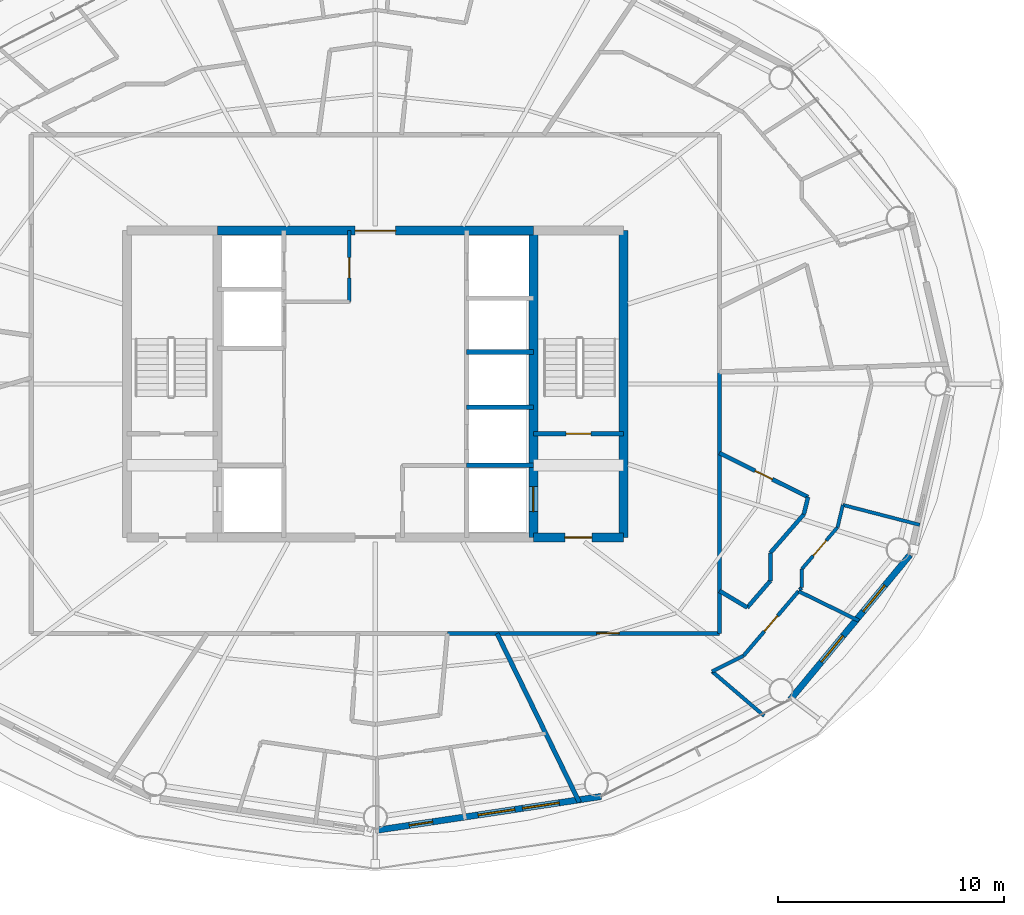
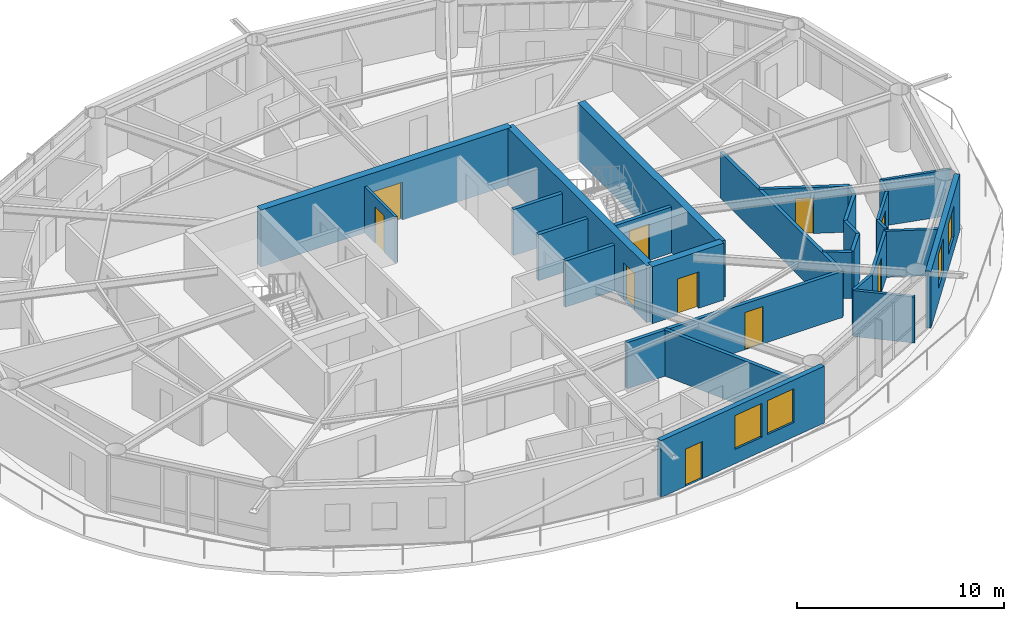
# One storey, part 17 of 23: 29 walls, 10 doors, 4 windows, 14 openings.
"""IFC4 building model written with IfcOpenShell, lengths in metres."""

from ifc_helpers import new_model, si_unit, direction, frame, frame_2d, origin, place, context, subcontext, project, spatial, rectangle, extrude, material, layer, layer_set, type_object, element, fill, save


model = new_model("IFC4")

# Units and contexts
model_context = context("Model", 3, precision=1e-05, world=origin(), true_north=direction((0.0, 1.0)))
body_context = subcontext(model_context, "Body", "Model", "MODEL_VIEW")
ifc_project = project(units=[si_unit("LENGTHUNIT", "METRE"), si_unit("AREAUNIT", "SQUARE_METRE"), si_unit("VOLUMEUNIT", "CUBIC_METRE"), si_unit("PLANEANGLEUNIT", "RADIAN"), si_unit("MASSUNIT", "GRAM", prefix="KILO")], contexts=[model_context])

# Site, building, storey
site_placement = place(None, origin())
site = spatial("IfcSite", under=ifc_project, at=site_placement, CompositionType="ELEMENT")
building_placement = place(site_placement, origin())
building = spatial("IfcBuilding", under=site, at=building_placement, Name="Sarneth Arch Tower", CompositionType="ELEMENT")
storey_placement = place(building_placement, frame((0.0, 0.0, 235.199951171875)))
storey = spatial("IfcBuildingStorey", under=building, at=storey_placement, Name="L60", CompositionType="ELEMENT", Elevation=235.199951171875)

# Wall, opening, door
ifc_material_1 = material(Name="Concrete C50/60", Category="concrete")
ifc_layer_1 = layer(ifc_material_1, 0.39990234375)
ifc_layer_set_1 = layer_set([ifc_layer_1], Name="Concrete C50/60")
wall_type_1 = type_object("IfcWallType", Name="WALL-CORE-400", PredefinedType="SHEAR", material=ifc_layer_set_1)
wall_1_placement = place(storey_placement, frame((55.0, 35.199951171875, 0.0), z_axis=(0.0, 0.0, 1.0), x_axis=(1.0, 0.0, 0.0)))
wall_1 = element("IfcWall", 1, at=wall_1_placement, inside=storey, type_object=wall_type_1, Name="L60 Core shear wall S-E", PredefinedType="SHEAR", context=body_context, shape_type="SweptSolid", body=[
    extrude(rectangle(XDim=4.0, YDim=0.39990234375, at=frame_2d((2.0, 0.0))), origin(), (0.0, 0.0, 1.0), 3.360107421875),
])
opening_1_placement = place(wall_1_placement, frame((1.39990234375, 0.0, 0.0)))
opening_1 = element("IfcOpeningElement", 2, at=opening_1_placement, cuts=wall_1, Name="Opening FD-02", PredefinedType="OPENING", context=body_context, shape_type="SweptSolid", body=[
    extrude(rectangle(XDim=1.199951171875, YDim=2.14990234375, at=frame_2d((0.60009765625, 1.074951171875))), frame((0.0, 0.2099609375, 0.0), z_axis=(0.0, -1.0, 0.0), x_axis=(1.0, 0.0, 0.0)), (0.0, 0.0, 1.0), 0.419921875),
])
ifc_material_2 = material(Name="Galvanised Steel S275 fire door set", Category="steel")
door_type_1 = type_object("IfcDoorType", Name="DR-FD90-1200", OperationType="SINGLE_SWING_LEFT", PredefinedType="DOOR", material=ifc_material_2)
door_1_placement = place(opening_1_placement, origin())
door_1 = element("IfcDoor", 3, at=door_1_placement, inside=storey, type_object=door_type_1, Name="L60 Firefighting lobby 2 exit door", OperationType="SINGLE_SWING_RIGHT", OverallHeight=2.14990234375, OverallWidth=1.199951171875, PredefinedType="DOOR", context=body_context, shape_type="SweptSolid", body=[
    extrude(rectangle(XDim=1.199951171875, YDim=2.14990234375, at=frame_2d((0.60009765625, 1.074951171875))), frame((0.0, 0.02490234375, 0.0), z_axis=(0.0, -1.0, 0.0), x_axis=(1.0, 0.0, 0.0)), (0.0, 0.0, 1.0), 0.050048828125),
])
fill(opening_1, door_1)

wall_2_placement = place(storey_placement, frame((41.0, 48.800048828125, 0.0), z_axis=(0.0, 0.0, 1.0), x_axis=(1.0, 0.0, 0.0)))
wall_2 = element("IfcWall", 4, at=wall_2_placement, inside=storey, type_object=wall_type_1, Name="L60 Core shear wall N-M", PredefinedType="SHEAR", context=body_context, shape_type="SweptSolid", body=[
    extrude(rectangle(XDim=14.0, YDim=0.39990234375, at=frame_2d((7.0, 0.0))), origin(), (0.0, 0.0, 1.0), 3.360107421875),
])
opening_2_placement = place(wall_2_placement, frame((6.10009765625, 0.0, 0.0)))
opening_2 = element("IfcOpeningElement", 5, at=opening_2_placement, cuts=wall_2, Name="Opening FD-01", PredefinedType="OPENING", context=body_context, shape_type="SweptSolid", body=[
    extrude(rectangle(XDim=1.800048828125, YDim=2.25, at=frame_2d((0.89990234375, 1.125))), frame((0.0, 0.2099609375, 0.0), z_axis=(0.0, -1.0, 0.0), x_axis=(1.0, 0.0, 0.0)), (0.0, 0.0, 1.0), 0.419921875),
])
ifc_material_3 = material(Name="Galvanised Steel S275 fire door set", Category="steel")
door_type_2 = type_object("IfcDoorType", Name="DR-FD90-1800", OperationType="DOUBLE_DOOR_SINGLE_SWING", PredefinedType="DOOR", material=ifc_material_3)
door_2_placement = place(opening_2_placement, origin())
door_2 = element("IfcDoor", 6, at=door_2_placement, inside=storey, type_object=door_type_2, Name="L60 Central lift lobby north door", OperationType="DOUBLE_DOOR_SINGLE_SWING", OverallHeight=2.25, OverallWidth=1.800048828125, PredefinedType="DOOR", context=body_context, shape_type="SweptSolid", body=[
    extrude(rectangle(XDim=1.800048828125, YDim=2.25, at=frame_2d((0.89990234375, 1.125))), frame((0.0, 0.02490234375, 0.0), z_axis=(0.0, -1.0, 0.0), x_axis=(1.0, 0.0, 0.0)), (0.0, 0.0, 1.0), 0.050048828125),
])
fill(opening_2, door_2)

# Wall
wall_3_placement = place(storey_placement, frame((59.0, 35.199951171875, 0.0), z_axis=(0.0, 0.0, 1.0), x_axis=(0.0, 1.0, 0.0)))
element("IfcWall", 7, at=wall_3_placement, inside=storey, type_object=wall_type_1, Name="L60 Core shear wall E", PredefinedType="SHEAR", context=body_context, shape_type="SweptSolid", body=[
    extrude(rectangle(XDim=13.60009765625, YDim=0.39990234375, at=frame_2d((6.800048828125, 0.0))), origin(), (0.0, 0.0, 1.0), 3.360107421875),
])

# Wall, opening, door
wall_4_placement = place(storey_placement, frame((55.0, 35.199951171875, 0.0), z_axis=(0.0, 0.0, 1.0), x_axis=(0.0, 1.0, 0.0)))
wall_4 = element("IfcWall", 8, at=wall_4_placement, inside=storey, type_object=wall_type_1, Name="L60 Core shear wall WEB-E", PredefinedType="SHEAR", context=body_context, shape_type="SweptSolid", body=[
    extrude(rectangle(XDim=13.60009765625, YDim=0.39990234375, at=frame_2d((6.800048828125, 0.0))), origin(), (0.0, 0.0, 1.0), 3.360107421875),
])
opening_3_placement = place(wall_4_placement, frame((1.14990234375, 0.0, 0.0)))
opening_3 = element("IfcOpeningElement", 9, at=opening_3_placement, cuts=wall_4, Name="Opening LD-1", PredefinedType="OPENING", context=body_context, shape_type="SweptSolid", body=[
    extrude(rectangle(XDim=1.10009765625, YDim=2.199951171875, at=frame_2d((0.550048828125, 1.10009765625))), frame((0.0, 0.2099609375, 0.0), z_axis=(0.0, -1.0, 0.0), x_axis=(1.0, 0.0, 0.0)), (0.0, 0.0, 1.0), 0.419921875),
])
ifc_material_4 = material(Name="Brushed Stainless Steel 304 lift landing door", Category="steel")
door_type_3 = type_object("IfcDoorType", Name="DR-LIFT-SLIDE-1100", OperationType="SLIDING_TO_LEFT", PredefinedType="DOOR", material=ifc_material_4)
door_3_placement = place(opening_3_placement, origin())
door_3 = element("IfcDoor", 10, at=door_3_placement, inside=storey, type_object=door_type_3, Name="L60 Firefighting lift landing door FL-2", OperationType="SLIDING_TO_RIGHT", OverallHeight=2.199951171875, OverallWidth=1.10009765625, PredefinedType="DOOR", context=body_context, shape_type="SweptSolid", body=[
    extrude(rectangle(XDim=1.10009765625, YDim=2.199951171875, at=frame_2d((0.550048828125, 1.10009765625))), frame((0.0, 0.02490234375, 0.0), z_axis=(0.0, -1.0, 0.0), x_axis=(1.0, 0.0, 0.0)), (0.0, 0.0, 1.0), 0.050048828125),
])
fill(opening_3, door_3)

ifc_material_5 = material(Name="Double steel-stud corridor fire wall", Category="steel")
ifc_layer_2 = layer(ifc_material_5, 0.18994140625)
ifc_layer_set_2 = layer_set([ifc_layer_2], Name="Double steel-stud corridor fire wall")
wall_type_2 = type_object("IfcWallType", Name="WALL-CORR-190", PredefinedType="PARTITIONING", material=ifc_layer_set_2)
wall_5_placement = place(storey_placement, frame((63.25, 30.949951171875, 0.0), z_axis=(0.0, 0.0, 1.0), x_axis=(-1.0, 0.0, 0.0)))
wall_5 = element("IfcWall", 11, at=wall_5_placement, inside=storey, type_object=wall_type_2, Name="L60 Interior partition W-L60-TP-018", PredefinedType="PARTITIONING", context=body_context, shape_type="SweptSolid", body=[
    extrude(rectangle(XDim=12.056396484375, YDim=0.18994140625, at=frame_2d((6.0283203125, 0.0))), origin(), (0.0, 0.0, 1.0), 2.719970703125),
])
opening_4_placement = place(wall_5_placement, frame((4.447998046875, 0.0, 0.0)))
opening_4 = element("IfcOpeningElement", 12, at=opening_4_placement, cuts=wall_5, Name="Opening FD-08", PredefinedType="OPENING", context=body_context, shape_type="SweptSolid", body=[
    extrude(rectangle(XDim=1.0, YDim=2.199951171875, at=frame_2d((0.5, 1.10009765625))), frame((0.0, 0.10498046875, 0.0), z_axis=(0.0, -1.0, 0.0), x_axis=(1.0, 0.0, 0.0)), (0.0, 0.0, 1.0), 0.2099609375),
])
ifc_material_6 = material(Name="Hardwood timber acoustic fire door", Category="wood")
door_type_4 = type_object("IfcDoorType", Name="DR-FD60-1000", OperationType="SINGLE_SWING_LEFT", PredefinedType="DOOR", material=ifc_material_6)
door_4_placement = place(opening_4_placement, origin())
door_4 = element("IfcDoor", 13, at=door_4_placement, inside=storey, type_object=door_type_4, Name="L60 Interior door DR-L60-U6-ENT", OperationType="SINGLE_SWING_LEFT", OverallHeight=2.199951171875, OverallWidth=1.0, PredefinedType="DOOR", context=body_context, shape_type="SweptSolid", body=[
    extrude(rectangle(XDim=1.0, YDim=2.199951171875, at=frame_2d((0.5, 1.10009765625))), frame((0.0, 0.02490234375, 0.0), z_axis=(0.0, -1.0, 0.0), x_axis=(1.0, 0.0, 0.0)), (0.0, 0.0, 1.0), 0.050048828125),
])
fill(opening_4, door_4)

# Wall
wall_6_placement = place(storey_placement, frame((63.25, 42.564453125, 0.0), z_axis=(0.0, 0.0, 1.0), x_axis=(0.0, -1.0, 0.0)))
element("IfcWall", 14, at=wall_6_placement, inside=storey, type_object=wall_type_2, Name="L60 Interior partition W-L60-TP-020", PredefinedType="PARTITIONING", context=body_context, shape_type="SweptSolid", body=[
    extrude(rectangle(XDim=11.614501953125, YDim=0.18994140625, at=frame_2d((5.80712890625, 0.0))), origin(), (0.0, 0.0, 1.0), 2.719970703125),
])

# Wall, openings, door, windows
ifc_material_7 = material(Name="Extruded terracotta rainscreen on Concrete C40/50 backing", Category="masonry")
ifc_layer_3 = layer(ifc_material_7, 0.280029296875)
ifc_layer_set_3 = layer_set([ifc_layer_3], Name="Extruded terracotta rainscreen on Concrete C40/50 backing")
wall_type_3 = type_object("IfcWallType", Name="WALL-EXT-TERRA-280", PredefinedType="SOLIDWALL", material=ifc_layer_set_3)
wall_7_placement = place(storey_placement, frame((48.0, 22.219970703125, 0.0), z_axis=(0.0, 0.0, 1.0), x_axis=(0.988882522213, 0.148698881169, 0.0)))
wall_7 = element("IfcWall", 15, at=wall_7_placement, inside=storey, type_object=wall_type_3, Name="L60 Terracotta perimeter wall 13", PredefinedType="SOLIDWALL", context=body_context, shape_type="SweptSolid", body=[
    extrude(rectangle(XDim=10.125244140625, YDim=0.280029296875, at=frame_2d((5.0625, 0.0))), origin(), (0.0, 0.0, 1.0), 3.360107421875),
])
opening_5_placement = place(wall_7_placement, frame((1.51611328125, 0.0, 0.0)))
opening_5 = element("IfcOpeningElement", 16, at=opening_5_placement, cuts=wall_7, Name="Opening BD-4", PredefinedType="OPENING", context=body_context, shape_type="SweptSolid", body=[
    extrude(rectangle(XDim=1.050048828125, YDim=2.199951171875, at=frame_2d((0.52490234375, 1.10009765625))), frame((0.0, 0.14990234375, 0.0), z_axis=(0.0, -1.0, 0.0), x_axis=(1.0, 0.0, 0.0)), (0.0, 0.0, 1.0), 0.300048828125),
])
opening_6_placement = place(wall_7_placement, frame((4.603759765625, 0.0, 0.85009765625)))
opening_6 = element("IfcOpeningElement", 17, at=opening_6_placement, cuts=wall_7, Name="Opening W-05", PredefinedType="OPENING", context=body_context, shape_type="SweptSolid", body=[
    extrude(rectangle(XDim=1.64990234375, YDim=2.0, at=frame_2d((0.824951171875, 1.0))), frame((0.0, 0.14990234375, 0.0), z_axis=(0.0, -1.0, 0.0), x_axis=(1.0, 0.0, 0.0)), (0.0, 0.0, 1.0), 0.300048828125),
])
opening_7_placement = place(wall_7_placement, frame((6.594482421875, 0.0, 0.85009765625)))
opening_7 = element("IfcOpeningElement", 18, at=opening_7_placement, cuts=wall_7, Name="Opening W-05", PredefinedType="OPENING", context=body_context, shape_type="SweptSolid", body=[
    extrude(rectangle(XDim=1.64990234375, YDim=2.0, at=frame_2d((0.824951171875, 1.0))), frame((0.0, 0.14990234375, 0.0), z_axis=(0.0, -1.0, 0.0), x_axis=(1.0, 0.0, 0.0)), (0.0, 0.0, 1.0), 0.300048828125),
])
ifc_material_8 = material(Name="Thermally broken Aluminium 6063-T6 and laminated safety glass", Category="aluminium")
door_type_5 = type_object("IfcDoorType", Name="DR-BALC-GLZ-1050", OperationType="SINGLE_SWING_RIGHT", PredefinedType="DOOR", material=ifc_material_8)
door_5_placement = place(opening_5_placement, origin())
door_5 = element("IfcDoor", 19, at=door_5_placement, inside=storey, type_object=door_type_5, Name="L60 Balcony glazed door 13", OperationType="SINGLE_SWING_RIGHT", OverallHeight=2.199951171875, OverallWidth=1.050048828125, PredefinedType="DOOR", context=body_context, shape_type="SweptSolid", body=[
    extrude(rectangle(XDim=1.050048828125, YDim=2.199951171875, at=frame_2d((0.52490234375, 1.10009765625))), frame((0.0, 0.02490234375, 0.0), z_axis=(0.0, -1.0, 0.0), x_axis=(1.0, 0.0, 0.0)), (0.0, 0.0, 1.0), 0.050048828125),
])
fill(opening_5, door_5)
ifc_material_9 = material(Name="Thermally broken Aluminium 6063-T6 and low-e laminated IGU", Category="aluminium")
window_type_1 = type_object("IfcWindowType", Name="WIN-TWR-1650x2000", PartitioningType="DOUBLE_PANEL_VERTICAL", PredefinedType="WINDOW", material=ifc_material_9)
window_1_placement = place(opening_6_placement, origin())
window_1 = element("IfcWindow", 20, at=window_1_placement, inside=storey, type_object=window_type_1, Name="L60 Exterior window 13A", OverallHeight=2.0, OverallWidth=1.64990234375, PartitioningType="SINGLE_PANEL", PredefinedType="WINDOW", context=body_context, shape_type="SweptSolid", body=[
    extrude(rectangle(XDim=1.64990234375, YDim=2.0, at=frame_2d((0.824951171875, 1.0))), frame((0.0, 0.030029296875, 0.0), z_axis=(0.0, -1.0, 0.0), x_axis=(1.0, 0.0, 0.0)), (0.0, 0.0, 1.0), 0.06005859375),
])
fill(opening_6, window_1)
window_2_placement = place(opening_7_placement, origin())
window_2 = element("IfcWindow", 21, at=window_2_placement, inside=storey, type_object=window_type_1, Name="L60 Exterior window 13B", OverallHeight=2.0, OverallWidth=1.64990234375, PartitioningType="SINGLE_PANEL", PredefinedType="WINDOW", context=body_context, shape_type="SweptSolid", body=[
    extrude(rectangle(XDim=1.64990234375, YDim=2.0, at=frame_2d((0.824951171875, 1.0))), frame((0.0, 0.030029296875, 0.0), z_axis=(0.0, -1.0, 0.0), x_axis=(1.0, 0.0, 0.0)), (0.0, 0.0, 1.0), 0.06005859375),
])
fill(opening_7, window_2)

# Wall, openings, windows
wall_8_placement = place(storey_placement, frame((66.382568359375, 28.013427734375, 0.0), z_axis=(0.0, 0.0, 1.0), x_axis=(0.63761509934, 0.770355103243, 0.0)))
wall_8 = element("IfcWall", 22, at=wall_8_placement, inside=storey, type_object=wall_type_3, Name="L60 Terracotta perimeter wall 15", PredefinedType="SOLIDWALL", context=body_context, shape_type="SweptSolid", body=[
    extrude(rectangle(XDim=8.329833984375, YDim=0.280029296875, at=frame_2d((4.1650390625, 0.0))), origin(), (0.0, 0.0, 1.0), 3.360107421875),
])
opening_8_placement = place(wall_8_placement, frame((2.170654296875, 0.0, 0.85009765625)))
opening_8 = element("IfcOpeningElement", 23, at=opening_8_placement, cuts=wall_8, Name="Opening W-06", PredefinedType="OPENING", context=body_context, shape_type="SweptSolid", body=[
    extrude(rectangle(XDim=1.5, YDim=2.0, at=frame_2d((0.75, 1.0))), frame((0.0, 0.14990234375, 0.0), z_axis=(0.0, -1.0, 0.0), x_axis=(1.0, 0.0, 0.0)), (0.0, 0.0, 1.0), 0.300048828125),
])
opening_9_placement = place(wall_8_placement, frame((5.07568359375, 0.0, 0.85009765625)))
opening_9 = element("IfcOpeningElement", 24, at=opening_9_placement, cuts=wall_8, Name="Opening W-07", PredefinedType="OPENING", context=body_context, shape_type="SweptSolid", body=[
    extrude(rectangle(XDim=1.5, YDim=1.800048828125, at=frame_2d((0.75, 0.89990234375))), frame((0.0, 0.14990234375, 0.0), z_axis=(0.0, -1.0, 0.0), x_axis=(1.0, 0.0, 0.0)), (0.0, 0.0, 1.0), 0.300048828125),
])
ifc_material_10 = material(Name="Thermally broken Aluminium 6063-T6 and low-e laminated IGU", Category="aluminium")
window_type_2 = type_object("IfcWindowType", Name="WIN-TWR-1500x1800", PartitioningType="SINGLE_PANEL", PredefinedType="WINDOW", material=ifc_material_10)
window_3_placement = place(opening_9_placement, origin())
window_3 = element("IfcWindow", 25, at=window_3_placement, inside=storey, type_object=window_type_2, Name="L60 Exterior window 15B", OverallHeight=1.800048828125, OverallWidth=1.5, PartitioningType="SINGLE_PANEL", PredefinedType="WINDOW", context=body_context, shape_type="SweptSolid", body=[
    extrude(rectangle(XDim=1.5, YDim=1.800048828125, at=frame_2d((0.75, 0.89990234375))), frame((0.0, 0.030029296875, 0.0), z_axis=(0.0, -1.0, 0.0), x_axis=(1.0, 0.0, 0.0)), (0.0, 0.0, 1.0), 0.06005859375),
])
fill(opening_9, window_3)
ifc_material_11 = material(Name="Thermally broken Aluminium 6063-T6 and low-e laminated IGU", Category="aluminium")
window_type_3 = type_object("IfcWindowType", Name="WIN-TWR-1500x2000", PartitioningType="SINGLE_PANEL", PredefinedType="WINDOW", material=ifc_material_11)
window_4_placement = place(opening_8_placement, origin())
window_4 = element("IfcWindow", 26, at=window_4_placement, inside=storey, type_object=window_type_3, Name="L60 Exterior window 15A", OverallHeight=2.0, OverallWidth=1.5, PartitioningType="SINGLE_PANEL", PredefinedType="WINDOW", context=body_context, shape_type="SweptSolid", body=[
    extrude(rectangle(XDim=1.5, YDim=2.0, at=frame_2d((0.75, 1.0))), frame((0.0, 0.030029296875, 0.0), z_axis=(0.0, -1.0, 0.0), x_axis=(1.0, 0.0, 0.0)), (0.0, 0.0, 1.0), 0.06005859375),
])
fill(opening_8, window_4)

# Wall, opening, door
ifc_material_12 = material(Name="Acoustic gypsum stud partition", Category="gypsum")
ifc_layer_4 = layer(ifc_material_12, 0.14990234375)
ifc_layer_set_4 = layer_set([ifc_layer_4], Name="Acoustic gypsum stud partition")
wall_type_4 = type_object("IfcWallType", Name="WALL-PART-150", PredefinedType="PARTITIONING", material=ifc_layer_set_4)
wall_9_placement = place(storey_placement, frame((46.85009765625, 45.64990234375, 0.0), z_axis=(0.0, 0.0, 1.0), x_axis=(0.0, 1.0, 0.0)))
wall_9 = element("IfcWall", 27, at=wall_9_placement, inside=storey, type_object=wall_type_4, Name="L60 Interior partition W-L60-CSUP1-E", PredefinedType="PARTITIONING", context=body_context, shape_type="SweptSolid", body=[
    extrude(rectangle(XDim=3.150146484375, YDim=0.14990234375, at=frame_2d((1.5751953125, 0.0))), origin(), (0.0, 0.0, 1.0), 2.719970703125),
])
opening_10_placement = place(wall_9_placement, frame((1.050048828125, 0.0, 0.0)))
opening_10 = element("IfcOpeningElement", 28, at=opening_10_placement, cuts=wall_9, Name="Opening FD-10", PredefinedType="OPENING", context=body_context, shape_type="SweptSolid", body=[
    extrude(rectangle(XDim=0.89990234375, YDim=2.14990234375, at=frame_2d((0.449951171875, 1.074951171875))), frame((0.0, 0.0849609375, 0.0), z_axis=(0.0, -1.0, 0.0), x_axis=(1.0, 0.0, 0.0)), (0.0, 0.0, 1.0), 0.169921875),
])
ifc_material_13 = material(Name="Galvanised Steel S275 riser/service fire door", Category="steel")
door_type_6 = type_object("IfcDoorType", Name="DR-FD60-900", OperationType="SINGLE_SWING_LEFT", PredefinedType="DOOR", material=ifc_material_13)
door_6_placement = place(opening_10_placement, origin())
door_6 = element("IfcDoor", 29, at=door_6_placement, inside=storey, type_object=door_type_6, Name="L60 Interior door DR-L60-CSUP1", OperationType="SINGLE_SWING_LEFT", OverallHeight=2.14990234375, OverallWidth=0.89990234375, PredefinedType="DOOR", context=body_context, shape_type="SweptSolid", body=[
    extrude(rectangle(XDim=0.89990234375, YDim=2.14990234375, at=frame_2d((0.449951171875, 1.074951171875))), frame((0.0, 0.02490234375, 0.0), z_axis=(0.0, -1.0, 0.0), x_axis=(1.0, 0.0, 0.0)), (0.0, 0.0, 1.0), 0.050048828125),
])
fill(opening_10, door_6)

# Wall
wall_10_placement = place(storey_placement, frame((68.716796875, 36.642333984375, 0.0), z_axis=(0.0, 0.0, 1.0), x_axis=(0.968152708391, -0.250360406683, 0.0)))
element("IfcWall", 30, at=wall_10_placement, inside=storey, type_object=wall_type_4, Name="L60 Interior partition W-L60-TP-110", PredefinedType="PARTITIONING", context=body_context, shape_type="SweptSolid", body=[
    extrude(rectangle(XDim=3.520263671875, YDim=0.14990234375, at=frame_2d((1.76025390625, 0.0))), origin(), (0.0, 0.0, 1.0), 2.719970703125),
])

# Wall, opening, door
wall_11_placement = place(storey_placement, frame((66.89990234375, 33.802978515625, 0.0), z_axis=(0.0, 0.0, 1.0), x_axis=(0.649270866973, 0.760557257082, 0.0)))
wall_11 = element("IfcWall", 31, at=wall_11_placement, inside=storey, type_object=wall_type_4, Name="L60 Interior partition W-L60-TP-105", PredefinedType="PARTITIONING", context=body_context, shape_type="SweptSolid", body=[
    extrude(rectangle(XDim=2.43505859375, YDim=0.14990234375, at=frame_2d((1.217529296875, 0.0))), origin(), (0.0, 0.0, 1.0), 2.719970703125),
])
opening_11_placement = place(wall_11_placement, frame((0.767578125, 0.0, 0.0)))
opening_11 = element("IfcOpeningElement", 32, at=opening_11_placement, cuts=wall_11, Name="Opening ID-01", PredefinedType="OPENING", context=body_context, shape_type="SweptSolid", body=[
    extrude(rectangle(XDim=0.89990234375, YDim=2.10009765625, at=frame_2d((0.449951171875, 1.050048828125))), frame((0.0, 0.0849609375, 0.0), z_axis=(0.0, -1.0, 0.0), x_axis=(1.0, 0.0, 0.0)), (0.0, 0.0, 1.0), 0.169921875),
])
ifc_material_14 = material(Name="Engineered hardwood flush door", Category="wood")
door_type_7 = type_object("IfcDoorType", Name="DR-INT-900", OperationType="SINGLE_SWING_LEFT", PredefinedType="DOOR", material=ifc_material_14)
door_7_placement = place(opening_11_placement, origin())
door_7 = element("IfcDoor", 33, at=door_7_placement, inside=storey, type_object=door_type_7, Name="L60 Interior door DR-L60-U6-BED1", OperationType="SINGLE_SWING_LEFT", OverallHeight=2.10009765625, OverallWidth=0.89990234375, PredefinedType="DOOR", context=body_context, shape_type="SweptSolid", body=[
    extrude(rectangle(XDim=0.89990234375, YDim=2.10009765625, at=frame_2d((0.449951171875, 1.050048828125))), frame((0.0, 0.02490234375, 0.0), z_axis=(0.0, -1.0, 0.0), x_axis=(1.0, 0.0, 0.0)), (0.0, 0.0, 1.0), 0.050048828125),
])
fill(opening_11, door_7)

# Walls
wall_12_placement = place(storey_placement, frame((68.48095703125, 35.655029296875, 0.0), z_axis=(0.0, 0.0, 1.0), x_axis=(0.232335810995, 0.972635631123, 0.0)))
element("IfcWall", 34, at=wall_12_placement, inside=storey, type_object=wall_type_4, Name="L60 Interior partition W-L60-TP-106", PredefinedType="PARTITIONING", context=body_context, shape_type="SweptSolid", body=[
    extrude(rectangle(XDim=1.01513671875, YDim=0.14990234375, at=frame_2d((0.507568359375, 0.0))), origin(), (0.0, 0.0, 1.0), 2.719970703125),
])
wall_13_placement = place(storey_placement, frame((66.89990234375, 32.992919921875, 0.0), z_axis=(0.0, 0.0, 1.0), x_axis=(0.0, 1.0, 0.0)))
element("IfcWall", 35, at=wall_13_placement, inside=storey, type_object=wall_type_4, Name="L60 Interior partition W-L60-TP-104", PredefinedType="PARTITIONING", context=body_context, shape_type="SweptSolid", body=[
    extrude(rectangle(XDim=0.81005859375, YDim=0.14990234375, at=frame_2d((0.405029296875, 0.0))), origin(), (0.0, 0.0, 1.0), 2.719970703125),
])
wall_14_placement = place(storey_placement, frame((66.80908203125, 32.886474609375, 0.0), z_axis=(0.0, 0.0, 1.0), x_axis=(0.649824872213, 0.760083966054, 0.0)))
element("IfcWall", 36, at=wall_14_placement, inside=storey, type_object=wall_type_4, Name="L60 Interior partition W-L60-TP-103", PredefinedType="PARTITIONING", context=body_context, shape_type="SweptSolid", body=[
    extrude(rectangle(XDim=0.10400390625, YDim=0.14990234375, at=frame_2d((0.052001953125, 0.0))), origin(), (0.0, 0.0, 1.0), 2.719970703125),
])

# Wall, opening, door
ifc_material_15 = material(Name="Kitchen wet service chase wall", Category="gypsum")
ifc_layer_5 = layer(ifc_material_15, 0.159912109375)
ifc_layer_set_5 = layer_set([ifc_layer_5], Name="Kitchen wet service chase wall")
wall_type_5 = type_object("IfcWallType", Name="WALL-PLUMB-160", PredefinedType="PLUMBINGWALL", material=ifc_layer_set_5)
wall_15_placement = place(storey_placement, frame((64.31103515625, 29.9580078125, 0.0), z_axis=(0.0, 0.0, 1.0), x_axis=(0.64897202373, 0.760812271468, 0.0)))
wall_15 = element("IfcWall", 37, at=wall_15_placement, inside=storey, type_object=wall_type_5, Name="L60 Interior partition W-L60-TP-096", PredefinedType="PLUMBINGWALL", context=body_context, shape_type="SweptSolid", body=[
    extrude(rectangle(XDim=3.76123046875, YDim=0.159912109375, at=frame_2d((1.880615234375, 0.0))), origin(), (0.0, 0.0, 1.0), 2.719970703125),
])
opening_12_placement = place(wall_15_placement, frame((1.4306640625, 0.0, 0.0)))
opening_12 = element("IfcOpeningElement", 38, at=opening_12_placement, cuts=wall_15, Name="Opening ID-01", PredefinedType="OPENING", context=body_context, shape_type="SweptSolid", body=[
    extrude(rectangle(XDim=0.89990234375, YDim=2.10009765625, at=frame_2d((0.449951171875, 1.050048828125))), frame((0.0, 0.08984375, 0.0), z_axis=(0.0, -1.0, 0.0), x_axis=(1.0, 0.0, 0.0)), (0.0, 0.0, 1.0), 0.179931640625),
])
door_8_placement = place(opening_12_placement, origin())
door_8 = element("IfcDoor", 39, at=door_8_placement, inside=storey, type_object=door_type_7, Name="L60 Interior door DR-L60-U6-KIT", OperationType="SINGLE_SWING_RIGHT", OverallHeight=2.10009765625, OverallWidth=0.89990234375, PredefinedType="DOOR", context=body_context, shape_type="SweptSolid", body=[
    extrude(rectangle(XDim=0.89990234375, YDim=2.10009765625, at=frame_2d((0.449951171875, 1.050048828125))), frame((0.0, 0.02490234375, 0.0), z_axis=(0.0, -1.0, 0.0), x_axis=(1.0, 0.0, 0.0)), (0.0, 0.0, 1.0), 0.050048828125),
])
fill(opening_12, door_8)

# Walls
wall_16_placement = place(storey_placement, frame((65.227783203125, 27.297119140625, 0.0), z_axis=(0.0, 0.0, 1.0), x_axis=(-0.760635251202, 0.649179493382, 0.0)))
element("IfcWall", 40, at=wall_16_placement, inside=storey, type_object=wall_type_5, Name="L60 Interior partition W-L60-TP-094", PredefinedType="PLUMBINGWALL", context=body_context, shape_type="SweptSolid", body=[
    extrude(rectangle(XDim=3.03369140625, YDim=0.159912109375, at=frame_2d((1.516845703125, 0.0))), origin(), (0.0, 0.0, 1.0), 2.719970703125),
])
wall_17_placement = place(storey_placement, frame((69.427734375, 31.509521484375, 0.0), z_axis=(0.0, 0.0, 1.0), x_axis=(-0.898132724045, 0.43972447055, 0.0)))
element("IfcWall", 41, at=wall_17_placement, inside=storey, type_object=wall_type_5, Name="L60 Interior partition W-L60-TP-109", PredefinedType="PLUMBINGWALL", context=body_context, shape_type="SweptSolid", body=[
    extrude(rectangle(XDim=2.979248046875, YDim=0.159912109375, at=frame_2d((1.48974609375, 0.0))), origin(), (0.0, 0.0, 1.0), 2.719970703125),
])
wall_18_placement = place(storey_placement, frame((62.920166015625, 29.2666015625, 0.0), z_axis=(0.0, 0.0, 1.0), x_axis=(0.895462181503, 0.445137598388, 0.0)))
element("IfcWall", 42, at=wall_18_placement, inside=storey, type_object=wall_type_5, Name="L60 Interior partition W-L60-TP-095", PredefinedType="PLUMBINGWALL", context=body_context, shape_type="SweptSolid", body=[
    extrude(rectangle(XDim=1.55322265625, YDim=0.159912109375, at=frame_2d((0.776611328125, 0.0))), origin(), (0.0, 0.0, 1.0), 2.719970703125),
])

# Wall, opening, door
ifc_material_16 = material(Name="Moisture-resistant plumbing chase wall", Category="gypsum")
ifc_layer_6 = layer(ifc_material_16, 0.179931640625)
ifc_layer_set_6 = layer_set([ifc_layer_6], Name="Moisture-resistant plumbing chase wall")
wall_type_6 = type_object("IfcWallType", Name="WALL-PLUMB-180", PredefinedType="PLUMBINGWALL", material=ifc_layer_set_6)
wall_19_placement = place(storey_placement, frame((63.25, 38.941162109375, 0.0), z_axis=(0.0, 0.0, 1.0), x_axis=(0.89568320669, -0.444692695301, 0.0)))
wall_19 = element("IfcWall", 43, at=wall_19_placement, inside=storey, type_object=wall_type_6, Name="L60 Interior partition W-L60-TP-097", PredefinedType="PLUMBINGWALL", context=body_context, shape_type="SweptSolid", body=[
    extrude(rectangle(XDim=4.380615234375, YDim=0.179931640625, at=frame_2d((2.1904296875, 0.0))), origin(), (0.0, 0.0, 1.0), 2.719970703125),
])
opening_13_placement = place(wall_19_placement, frame((1.765380859375, 0.0, 0.0)))
opening_13 = element("IfcOpeningElement", 44, at=opening_13_placement, cuts=wall_19, Name="Opening ID-02", PredefinedType="OPENING", context=body_context, shape_type="SweptSolid", body=[
    extrude(rectangle(XDim=0.85009765625, YDim=2.10009765625, at=frame_2d((0.425048828125, 1.050048828125))), frame((0.0, 0.099853515625, 0.0), z_axis=(0.0, -1.0, 0.0), x_axis=(1.0, 0.0, 0.0)), (0.0, 0.0, 1.0), 0.199951171875),
])
ifc_material_17 = material(Name="Moisture-resistant bathroom timber door", Category="wood")
door_type_8 = type_object("IfcDoorType", Name="DR-INT-850", OperationType="SINGLE_SWING_RIGHT", PredefinedType="DOOR", material=ifc_material_17)
door_9_placement = place(opening_13_placement, origin())
door_9 = element("IfcDoor", 45, at=door_9_placement, inside=storey, type_object=door_type_8, Name="L60 Interior door DR-L60-U6-BATH", OperationType="SINGLE_SWING_LEFT", OverallHeight=2.10009765625, OverallWidth=0.85009765625, PredefinedType="DOOR", context=body_context, shape_type="SweptSolid", body=[
    extrude(rectangle(XDim=0.85009765625, YDim=2.10009765625, at=frame_2d((0.425048828125, 1.050048828125))), frame((0.0, 0.02490234375, 0.0), z_axis=(0.0, -1.0, 0.0), x_axis=(1.0, 0.0, 0.0)), (0.0, 0.0, 1.0), 0.050048828125),
])
fill(opening_13, door_9)

# Walls
wall_20_placement = place(storey_placement, frame((66.987548828125, 36.22900390625, 0.0), z_axis=(0.0, 0.0, 1.0), x_axis=(-0.656389391797, -0.754422273224, 0.0)))
element("IfcWall", 46, at=wall_20_placement, inside=storey, type_object=wall_type_6, Name="L60 Interior partition W-L60-TP-099", PredefinedType="PLUMBINGWALL", context=body_context, shape_type="SweptSolid", body=[
    extrude(rectangle(XDim=2.266357421875, YDim=0.179931640625, at=frame_2d((1.13330078125, 0.0))), origin(), (0.0, 0.0, 1.0), 2.719970703125),
])
wall_21_placement = place(storey_placement, frame((65.5, 33.27880859375, 0.0), z_axis=(0.0, 0.0, 1.0), x_axis=(-0.653929368036, -0.756555603786, 0.0)))
element("IfcWall", 47, at=wall_21_placement, inside=storey, type_object=wall_type_6, Name="L60 Interior partition W-L60-TP-101", PredefinedType="PLUMBINGWALL", context=body_context, shape_type="SweptSolid", body=[
    extrude(rectangle(XDim=1.560546875, YDim=0.179931640625, at=frame_2d((0.7802734375, 0.0))), origin(), (0.0, 0.0, 1.0), 2.719970703125),
])
wall_22_placement = place(storey_placement, frame((64.4794921875, 32.09814453125, 0.0), z_axis=(0.0, 0.0, 1.0), x_axis=(-0.857162347113, 0.515046318976, 0.0)))
element("IfcWall", 48, at=wall_22_placement, inside=storey, type_object=wall_type_6, Name="L60 Interior partition W-L60-TP-102", PredefinedType="PLUMBINGWALL", context=body_context, shape_type="SweptSolid", body=[
    extrude(rectangle(XDim=1.434326171875, YDim=0.179931640625, at=frame_2d((0.71728515625, 0.0))), origin(), (0.0, 0.0, 1.0), 2.719970703125),
])
wall_23_placement = place(storey_placement, frame((65.5, 34.519287109375, 0.0), z_axis=(0.0, 0.0, 1.0), x_axis=(0.0, -1.0, 0.0)))
element("IfcWall", 49, at=wall_23_placement, inside=storey, type_object=wall_type_6, Name="L60 Interior partition W-L60-TP-100", PredefinedType="PLUMBINGWALL", context=body_context, shape_type="SweptSolid", body=[
    extrude(rectangle(XDim=1.240478515625, YDim=0.179931640625, at=frame_2d((0.6201171875, 0.0))), origin(), (0.0, 0.0, 1.0), 2.719970703125),
])
wall_24_placement = place(storey_placement, frame((67.173583984375, 36.9931640625, 0.0), z_axis=(0.0, 0.0, 1.0), x_axis=(-0.236541681433, -0.971621342368, 0.0)))
element("IfcWall", 50, at=wall_24_placement, inside=storey, type_object=wall_type_6, Name="L60 Interior partition W-L60-TP-098", PredefinedType="PLUMBINGWALL", context=body_context, shape_type="SweptSolid", body=[
    extrude(rectangle(XDim=0.786376953125, YDim=0.179931640625, at=frame_2d((0.39306640625, 0.0))), origin(), (0.0, 0.0, 1.0), 2.719970703125),
])

# Wall, opening, door
ifc_material_18 = material(Name="Aerated concrete blockwork C25/30", Category="masonry")
ifc_layer_7 = layer(ifc_material_18, 0.199951171875)
ifc_layer_set_7 = layer_set([ifc_layer_7], Name="Aerated concrete blockwork C25/30")
wall_type_7 = type_object("IfcWallType", Name="WALL-SHAFT-200", PredefinedType="SOLIDWALL", material=ifc_layer_set_7)
wall_25_placement = place(storey_placement, frame((55.0, 39.800048828125, 0.0), z_axis=(0.0, 0.0, 1.0), x_axis=(1.0, 0.0, 0.0)))
wall_25 = element("IfcWall", 51, at=wall_25_placement, inside=storey, type_object=wall_type_7, Name="L60 Interior partition W-L60-ST2-S", PredefinedType="SOLIDWALL", context=body_context, shape_type="SweptSolid", body=[
    extrude(rectangle(XDim=4.0, YDim=0.199951171875, at=frame_2d((2.0, 0.0))), origin(), (0.0, 0.0, 1.0), 2.719970703125),
])
opening_14_placement = place(wall_25_placement, frame((1.449951171875, 0.0, 0.0)))
opening_14 = element("IfcOpeningElement", 52, at=opening_14_placement, cuts=wall_25, Name="Opening FD-03", PredefinedType="OPENING", context=body_context, shape_type="SweptSolid", body=[
    extrude(rectangle(XDim=1.10009765625, YDim=2.14990234375, at=frame_2d((0.550048828125, 1.074951171875))), frame((0.0, 0.10986328125, 0.0), z_axis=(0.0, -1.0, 0.0), x_axis=(1.0, 0.0, 0.0)), (0.0, 0.0, 1.0), 0.219970703125),
])
ifc_material_19 = material(Name="Galvanised Steel S275 fire door set", Category="steel")
door_type_9 = type_object("IfcDoorType", Name="DR-FD90-1100", OperationType="SINGLE_SWING_LEFT", PredefinedType="DOOR", material=ifc_material_19)
door_10_placement = place(opening_14_placement, origin())
door_10 = element("IfcDoor", 53, at=door_10_placement, inside=storey, type_object=door_type_9, Name="L60 Interior door DR-L60-ST2", OperationType="SINGLE_SWING_RIGHT", OverallHeight=2.14990234375, OverallWidth=1.10009765625, PredefinedType="DOOR", context=body_context, shape_type="SweptSolid", body=[
    extrude(rectangle(XDim=1.10009765625, YDim=2.14990234375, at=frame_2d((0.550048828125, 1.074951171875))), frame((0.0, 0.02490234375, 0.0), z_axis=(0.0, -1.0, 0.0), x_axis=(1.0, 0.0, 0.0)), (0.0, 0.0, 1.0), 0.050048828125),
])
fill(opening_14, door_10)

# Walls
for number, where, z_axis, x_axis, name in (
    (54, (52.050048828125, 38.39990234375, 0.0), (0.0, 0.0, 1.0), (1.0, 0.0, 0.0), "L60 Interior partition W-L60-FL2-N"),
    (55, (52.050048828125, 40.97998046875, 0.0), (0.0, 0.0, 1.0), (1.0, 0.0, 0.0), "L60 Interior partition W-L60-EB-DIV-4098"),
    (56, (52.050048828125, 43.419921875, 0.0), (0.0, 0.0, 1.0), (1.0, 0.0, 0.0), "L60 Interior partition W-L60-EB-DIV-4342"),
):
    element("IfcWall", number, at=place(storey_placement, frame(where, z_axis=z_axis, x_axis=x_axis)), inside=storey, type_object=wall_type_7, Name=name, PredefinedType="SOLIDWALL", context=body_context, shape_type="SweptSolid", body=[
        extrude(rectangle(XDim=2.949951171875, YDim=0.199951171875, at=frame_2d((1.47509765625, 0.0))), origin(), (0.0, 0.0, 1.0), 2.719970703125),
    ])
ifc_material_20 = material(Name="Double steel-stud acoustic drywall", Category="steel")
ifc_layer_8 = layer(ifc_material_20, 0.199951171875)
ifc_layer_set_8 = layer_set([ifc_layer_8], Name="Double steel-stud acoustic drywall")
wall_type_8 = type_object("IfcWallType", Name="WALL-UNIT-200", PredefinedType="PARTITIONING", material=ifc_layer_set_8)
wall_26_placement = place(storey_placement, frame((53.389404296875, 30.949951171875, 0.0), z_axis=(0.0, 0.0, 1.0), x_axis=(0.438386671508, -0.898786474222, 0.0)))
element("IfcWall", 57, at=wall_26_placement, inside=storey, type_object=wall_type_8, Name="L60 Interior partition W-L60-TP-089", PredefinedType="PARTITIONING", context=body_context, shape_type="SweptSolid", body=[
    extrude(rectangle(XDim=8.3291015625, YDim=0.199951171875, at=frame_2d((4.16455078125, 0.0))), origin(), (0.0, 0.0, 1.0), 2.719970703125),
])

save(model, "model.ifc")
